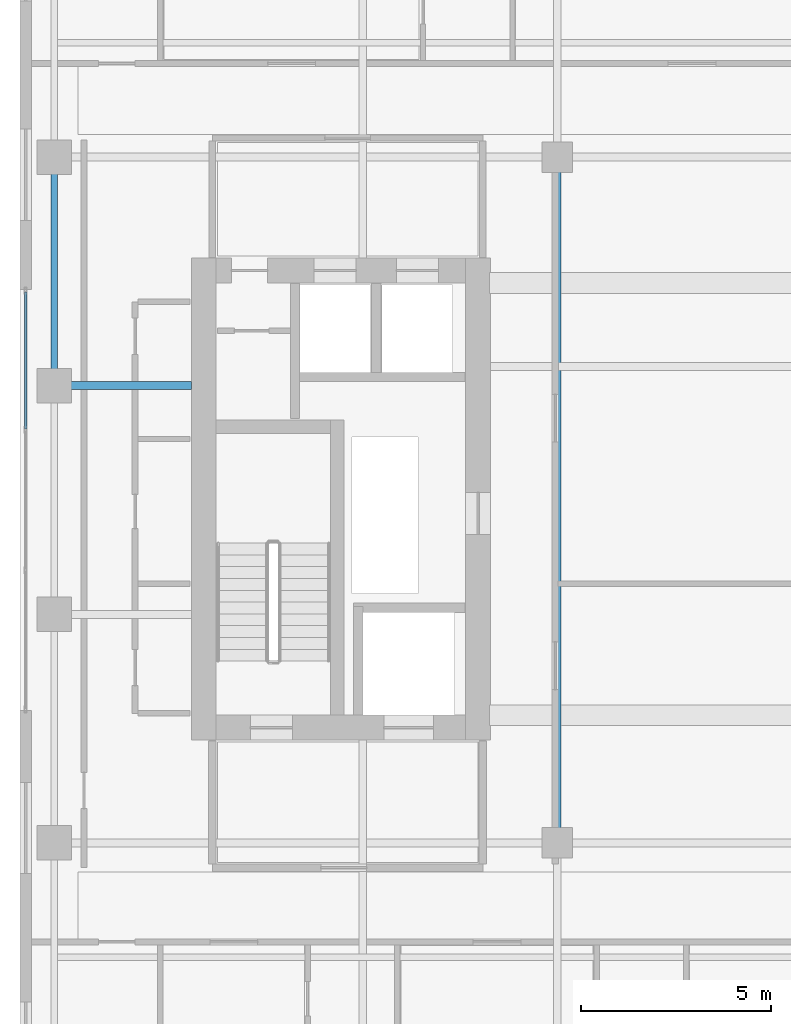
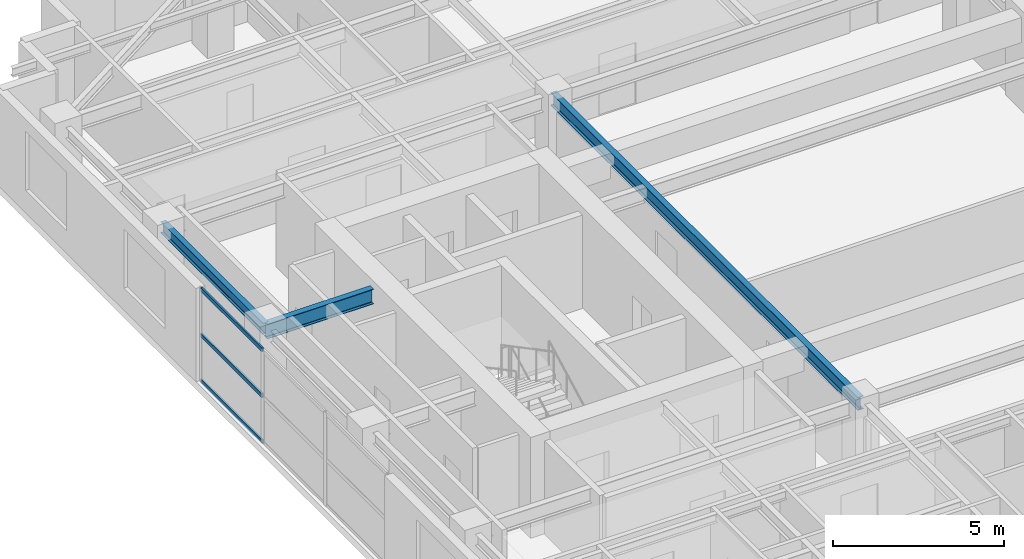
# One storey, part 3 of 15: 3 beams, 3 members, 1 element without a shape of its own.
"""IFC4 building model written with IfcOpenShell, lengths in metres."""

import ifcopenshell
import ifcopenshell.guid

model = None  # the IFC model being written
_history = None  # IfcOwnerHistory: only IFC2X3 demands one
_inside = {}  # id of a spatial element -> (the spatial element, [elements in it])
_under = {}  # id of a project, library or spatial element -> (it, [spatial elements below it])
_declared = {}  # id of a project -> (the project, [libraries it declares])
_typed = {}  # id of a type object -> (the type object, [elements of that type])
_made_of = {}  # id of a material, layer set ... -> (it, [elements and type objects made of it])


def new_model(schema):
    """Start an empty IFC model of exactly this schema.

    Asked for "IFC4X3", IfcOpenShell would pick the latest addendum, in which some entities
    have other attributes; the version numbers below select the first issue.
    IFC2X3 requires an IfcOwnerHistory on every rooted entity: one is made here for all.
    """
    global model, _history
    if schema == "IFC4X3":
        model = ifcopenshell.file(schema_version=(4, 3, 0, 0))
    else:
        model = ifcopenshell.file(schema=schema)
    _inside.clear()
    _under.clear()
    _declared.clear()
    _typed.clear()
    _made_of.clear()
    _history = None
    if model.schema == "IFC2X3":
        org = make("IfcOrganization", Name="unknown")
        user = make(
            "IfcPersonAndOrganization",
            ThePerson=make("IfcPerson", FamilyName="unknown"),
            TheOrganization=org,
        )
        app = make(
            "IfcApplication",
            ApplicationDeveloper=org,
            Version="unknown",
            ApplicationFullName="unknown",
            ApplicationIdentifier="unknown",
        )
        _history = make(
            "IfcOwnerHistory",
            OwningUser=user,
            OwningApplication=app,
            ChangeAction="ADDED",
            CreationDate=0,
        )
    return model


def make(cls, **values):
    """One entity of the class cls with the attributes given. An attribute that is None is left unset."""
    return model.create_entity(
        cls, **{name: value for name, value in values.items() if value is not None}
    )


def rooted(cls, **values):
    """An entity with a GlobalId (a new one), such as an element, a storey or a relation."""
    return make(cls, GlobalId=ifcopenshell.guid.new(), OwnerHistory=_history, **values)


def si_unit(unit_type, name, prefix=None):
    """IfcSIUnit, for example si_unit("LENGTHUNIT", "METRE", prefix="MILLI")."""
    return make("IfcSIUnit", UnitType=unit_type, Prefix=prefix, Name=name)


def assignment(units):
    """IfcUnitAssignment: the units of a project."""
    return None if units is None else make("IfcUnitAssignment", Units=units)


def point(xyz):
    """IfcCartesianPoint."""
    return None if xyz is None else make("IfcCartesianPoint", Coordinates=xyz)


def direction(xyz):
    """IfcDirection."""
    return None if xyz is None else make("IfcDirection", DirectionRatios=xyz)


def frame(location, z_axis=None, x_axis=None):
    """IfcAxis2Placement3D, a coordinate frame: its origin and axes. An axis left out is left unset."""
    return make(
        "IfcAxis2Placement3D",
        Location=point(location),
        Axis=direction(z_axis),
        RefDirection=direction(x_axis),
    )


def frame_2d(location, x_axis=None):
    """IfcAxis2Placement2D, a coordinate frame in the plane: its origin and x axis."""
    return make(
        "IfcAxis2Placement2D", Location=point(location), RefDirection=direction(x_axis)
    )


def origin():
    """The frame at (0, 0, 0) with its axes left unset."""
    return frame((0.0, 0.0, 0.0))


def origin_2d():
    """The frame at (0, 0) in the plane with its x axis left unset."""
    return frame_2d((0.0, 0.0))


def place(relative_to, where):
    """IfcLocalPlacement: puts the frame where relative to a parent placement (None: the world)."""
    return make(
        "IfcLocalPlacement", PlacementRelTo=relative_to, RelativePlacement=where
    )


def context(
    kind, dimensions, precision=None, world=None, true_north=None, identifier=None
):
    """IfcGeometricRepresentationContext, for example the 3D "Model" context."""
    return make(
        "IfcGeometricRepresentationContext",
        ContextIdentifier=identifier,
        ContextType=kind,
        CoordinateSpaceDimension=dimensions,
        Precision=precision,
        WorldCoordinateSystem=world,
        TrueNorth=true_north,
    )


def subcontext(parent, identifier, kind, view, scale=None):
    """IfcGeometricRepresentationSubContext, for example "Body" below "Model"."""
    return make(
        "IfcGeometricRepresentationSubContext",
        ContextIdentifier=identifier,
        ContextType=kind,
        ParentContext=parent,
        TargetScale=scale,
        TargetView=view,
    )


def project(units=None, contexts=None):
    """IfcProject with its units and contexts."""
    return rooted(
        "IfcProject",
        Name="project",
        RepresentationContexts=contexts,
        UnitsInContext=assignment(units),
    )


def spatial(cls, under=None, at=None, **own):
    """A site, building, storey or space (cls), placed at a placement, below another one or the project."""
    s = rooted(cls, ObjectPlacement=at, **own)
    if under is not None:
        _under.setdefault(under.id(), (under, []))[1].append(s)
    return s


def profile(cls, at=None, kind="AREA", **sizes):
    """A parametric profile (cls). Its sizes go by their IFC names, for example OverallWidth=200.0."""
    return make(cls, ProfileType=kind, Position=at, **sizes)


def hollow_rectangle(**sizes):
    """IfcRectangleHollowProfileDef."""
    return profile("IfcRectangleHollowProfileDef", **sizes)


def i_section(**sizes):
    """IfcIShapeProfileDef."""
    return profile("IfcIShapeProfileDef", **sizes)


def extrude(swept, where, along, depth):
    """IfcExtrudedAreaSolid: the profile swept, set in the frame where, extruded along a direction by depth."""
    return make(
        "IfcExtrudedAreaSolid",
        SweptArea=swept,
        Position=where,
        ExtrudedDirection=direction(along),
        Depth=depth,
    )


def shape(context_of_items, identifier, shape_type, items):
    """IfcShapeRepresentation: the items that make up one representation, for example the "Body"."""
    return make(
        "IfcShapeRepresentation",
        ContextOfItems=context_of_items,
        RepresentationIdentifier=identifier,
        RepresentationType=shape_type,
        Items=items,
    )


def source(mapping_origin, context_of_items, identifier, shape_type, items):
    """IfcRepresentationMap: a shape defined once, which mapped items show again and again."""
    return make(
        "IfcRepresentationMap",
        MappingOrigin=mapping_origin,
        MappedRepresentation=shape(context_of_items, identifier, shape_type, items),
    )


def transform(
    local_origin,
    x_axis=None,
    y_axis=None,
    z_axis=None,
    scale=None,
    scale2=None,
    scale3=None,
    uniform=True,
):
    """IfcCartesianTransformationOperator3D, or its non-uniform kind. x_axis, y_axis, z_axis: its Axis1, 2, 3."""
    if uniform:
        return make(
            "IfcCartesianTransformationOperator3D",
            Axis1=direction(x_axis),
            Axis2=direction(y_axis),
            LocalOrigin=point(local_origin),
            Scale=scale,
            Axis3=direction(z_axis),
        )
    return make(
        "IfcCartesianTransformationOperator3DnonUniform",
        Axis1=direction(x_axis),
        Axis2=direction(y_axis),
        LocalOrigin=point(local_origin),
        Scale=scale,
        Axis3=direction(z_axis),
        Scale2=scale2,
        Scale3=scale3,
    )


def mapped(mapping_source, mapping_target):
    """IfcMappedItem: shows the shape of a source again, moved by a transform."""
    return make(
        "IfcMappedItem", MappingSource=mapping_source, MappingTarget=mapping_target
    )


def material(Name=None, Category=None):
    """IfcMaterial."""
    return make("IfcMaterial", Name=Name, Category=Category)


def layer(
    of_material, thickness, ventilated=None, Name=None, Category=None, Priority=None
):
    """IfcMaterialLayer: one layer of a wall or slab, of a material (None: an air gap)."""
    return make(
        "IfcMaterialLayer",
        Material=of_material,
        LayerThickness=thickness,
        IsVentilated=ventilated,
        Name=Name,
        Category=Category,
        Priority=Priority,
    )


def layer_set(layers, Name=None):
    """IfcMaterialLayerSet."""
    return make("IfcMaterialLayerSet", MaterialLayers=layers, LayerSetName=Name)


def material_profile(
    of_material, cross_section, Name=None, Category=None, Priority=None
):
    """IfcMaterialProfile: a cross section and its material."""
    return make(
        "IfcMaterialProfile",
        Name=Name,
        Material=of_material,
        Profile=cross_section,
        Priority=Priority,
        Category=Category,
    )


def profile_set(profiles, Name=None, composite=None):
    """IfcMaterialProfileSet."""
    return make(
        "IfcMaterialProfileSet",
        Name=Name,
        MaterialProfiles=profiles,
        CompositeProfile=composite,
    )


def made_of(thing, what):
    """Note that an element or type object is made of a material, layer set ...; save() writes the relation."""
    if what is not None:
        _made_of.setdefault(what.id(), (what, []))[1].append(thing)
    return thing


def type_object(cls, material=None, **own):
    """A type object (cls), such as IfcWallType, which elements share."""
    return made_of(rooted(cls, **own), material)


def element(
    cls,
    number,
    at=None,
    inside=None,
    cuts=None,
    type_object=None,
    material=None,
    context=None,
    identifier="Body",
    shape_type=None,
    held_by="IfcProductDefinitionShape",
    body=None,
    shapes=None,
    **own,
):
    """One element of the class cls, such as IfcWall. Its Tag is "e" and its number.

    at: its placement. inside: the storey or other place that contains it. cuts: it is an
    opening in that element (IfcRelVoidsElement). A single representation is given by context,
    identifier, shape_type and body (its items); several are given by shapes. held_by: the class
    of the entity that holds the representations. save() writes the other relations.
    """
    e = rooted(cls, Tag="e%d" % number, ObjectPlacement=at, **own)
    if body is not None:
        shapes = [shape(context, identifier, shape_type, body)]
    if shapes is not None:
        e.Representation = make(held_by, Representations=shapes)
    if inside is not None:
        _inside.setdefault(inside.id(), (inside, []))[1].append(e)
    if cuts is not None:
        rooted(
            "IfcRelVoidsElement", RelatingBuildingElement=cuts, RelatedOpeningElement=e
        )
    if type_object is not None:
        _typed.setdefault(type_object.id(), (type_object, []))[1].append(e)
    return made_of(e, material)


def aggregate(whole, parts):
    """IfcRelAggregates: a whole, such as a stair, and the parts it consists of."""
    return rooted("IfcRelAggregates", RelatingObject=whole, RelatedObjects=parts)


def save(model, path):
    """Write the relations noted so far, then the file.

    IfcRelAggregates (storeys below a building ...), IfcRelContainedInSpatialStructure (elements
    in a storey), IfcRelDefinesByType, IfcRelAssociatesMaterial and IfcRelDeclares: one each for
    every whole, place, type object, material and project.
    """
    for whole, parts in _under.values():
        aggregate(whole, parts)
    for where, things in _inside.values():
        rooted(
            "IfcRelContainedInSpatialStructure",
            RelatedElements=things,
            RelatingStructure=where,
        )
    for kind, things in _typed.values():
        rooted("IfcRelDefinesByType", RelatedObjects=things, RelatingType=kind)
    for what, things in _made_of.values():
        rooted("IfcRelAssociatesMaterial", RelatedObjects=things, RelatingMaterial=what)
    for by, libraries in _declared.values():
        rooted("IfcRelDeclares", RelatingContext=by, RelatedDefinitions=libraries)
    model.write(path)


model = new_model("IFC4")

# Units and contexts
model_context = context("Model", 3, precision=1e-05, world=origin(), true_north=direction((0.0, 1.0)))
body_context = subcontext(model_context, "Body", "Model", "MODEL_VIEW")
ifc_project = project(units=[si_unit("LENGTHUNIT", "METRE"), si_unit("AREAUNIT", "SQUARE_METRE"), si_unit("VOLUMEUNIT", "CUBIC_METRE"), si_unit("PLANEANGLEUNIT", "RADIAN"), si_unit("MASSUNIT", "GRAM", prefix="KILO")], contexts=[model_context])

# Site, building, storey
site_placement = place(None, origin())
site = spatial("IfcSite", under=ifc_project, at=site_placement, CompositionType="ELEMENT")
building_placement = place(site_placement, origin())
building = spatial("IfcBuilding", under=site, at=building_placement, Name="Khoralis Quay Care Tower", CompositionType="ELEMENT")
storey_placement = place(building_placement, frame((0.0, 0.0, 162.89990234375)))
storey = spatial("IfcBuildingStorey", under=building, at=storey_placement, Name="L42", CompositionType="ELEMENT", Elevation=162.89990234375)

# Beams
ifc_material_1 = material(Name="Steel S355", Category="steel")
ifc_material_profile_1 = material_profile(ifc_material_1, i_section(OverallWidth=0.179931640625, OverallDepth=0.39990234375, WebThickness=0.008544921875, FlangeThickness=0.013427734375, FilletRadius=0.02099609375, at=origin_2d()), Name="Steel S355")
ifc_profile_set_1 = profile_set([ifc_material_profile_1], Name="Steel S355")
beam_type_1 = type_object("IfcBeamType", Name="BM-IPE400", PredefinedType="SPANDREL", material=ifc_profile_set_1)
shared_shape_1 = source(origin(), body_context, "Body", "SweptSolid", [
    extrude(i_section(OverallWidth=0.179931640625, OverallDepth=0.39990234375, WebThickness=0.008544921875, FlangeThickness=0.013427734375, FilletRadius=0.02099609375, at=origin_2d()), origin(), (0.0, 0.0, 1.0), 6.0),
])
beam_1_placement = place(storey_placement, frame((3.89990234375, 24.0, 3.14013671875), z_axis=(0.0, 1.0, 0.0), x_axis=(-1.0, 0.0, 0.0)))
element("IfcBeam", 1, at=beam_1_placement, inside=storey, type_object=beam_type_1, Name="BM-TSP-L42-12", PredefinedType="SPANDREL", context=body_context, shape_type="MappedRepresentation", body=[
    mapped(shared_shape_1, transform((0.0, 0.0, 0.0), scale=1.0)),
])
ifc_material_profile_2 = material_profile(ifc_material_1, i_section(OverallWidth=0.208984375, OverallDepth=0.532958984375, WebThickness=0.01025390625, FlangeThickness=0.015625, FilletRadius=0.01611328125, at=origin_2d()), Name="Steel S355")
ifc_profile_set_2 = profile_set([ifc_material_profile_2], Name="Steel S355")
beam_type_2 = type_object("IfcBeamType", Name="BM-W530X92", PredefinedType="BEAM", material=ifc_profile_set_2)
shared_shape_2 = source(origin(), body_context, "Body", "SweptSolid", [
    extrude(i_section(OverallWidth=0.208984375, OverallDepth=0.532958984375, WebThickness=0.01025390625, FlangeThickness=0.015625, FilletRadius=0.01611328125, at=origin_2d()), origin(), (0.0, 0.0, 1.0), 3.60205078125),
])
beam_2_placement = place(storey_placement, frame((3.89990234375, 24.0, 3.073486328125), z_axis=(1.0, 0.0, 0.0), x_axis=(0.0, 1.0, 0.0)))
element("IfcBeam", 2, at=beam_2_placement, inside=storey, type_object=beam_type_2, Name="BM-TGXW-L42-240", PredefinedType="BEAM", context=body_context, shape_type="MappedRepresentation", body=[
    mapped(shared_shape_2, transform((0.0, 0.0, 0.0), scale=1.0)),
])
ifc_material_profile_3 = material_profile(ifc_material_1, i_section(OverallWidth=0.19189453125, OverallDepth=0.462890625, WebThickness=0.010498046875, FlangeThickness=0.017578125, FilletRadius=0.014892578125, at=origin_2d()), Name="Steel S355")
ifc_profile_set_3 = profile_set([ifc_material_profile_3], Name="Steel S355")
beam_type_3 = type_object("IfcBeamType", Name="BM-W460X89", PredefinedType="BEAM", material=ifc_profile_set_3)
shared_shape_3 = source(origin(), body_context, "Body", "SweptSolid", [
    extrude(i_section(OverallWidth=0.19189453125, OverallDepth=0.462890625, WebThickness=0.010498046875, FlangeThickness=0.017578125, FilletRadius=0.014892578125, at=origin_2d()), origin(), (0.0, 0.0, 1.0), 18.0),
])
beam_3_placement = place(storey_placement, frame((17.10009765625, 12.0, 3.108642578125), z_axis=(0.0, 1.0, 0.0), x_axis=(-1.0, 0.0, 0.0)))
element("IfcBeam", 3, at=beam_3_placement, inside=storey, type_object=beam_type_3, Name="BM-TGSW-L42", PredefinedType="BEAM", context=body_context, shape_type="MappedRepresentation", body=[
    mapped(shared_shape_3, transform((0.0, 0.0, 0.0), scale=1.0)),
])

# Curtain wall, members
ifc_material_2 = material(Name="Pale anodised aluminium", Category="aluminium")
ifc_layer = layer(ifc_material_2, 0.159912109375)
ifc_layer_set = layer_set([ifc_layer], Name="Pale anodised aluminium")
curtain_wall_type = type_object("IfcCurtainWallType", Name="CW-SYS-Z3", PredefinedType="NOTDEFINED", material=ifc_layer_set)
curtain_wall_placement = place(storey_placement, origin())
curtain_wall = element("IfcCurtainWall", 4, at=curtain_wall_placement, inside=storey, type_object=curtain_wall_type, Name="L42 Unitised Curtain Wall CW-L42-P1-E15", PredefinedType="NOTDEFINED")
ifc_material_profile_4 = material_profile(ifc_material_2, hollow_rectangle(XDim=0.06005859375, YDim=0.139892578125, WallThickness=0.00390625, at=origin_2d()), Name="Pale anodised aluminium")
ifc_profile_set_4 = profile_set([ifc_material_profile_4], Name="Pale anodised aluminium")
member_type = type_object("IfcMemberType", Name="CW-TRN-140", PredefinedType="USERDEFINED", material=ifc_profile_set_4)
shared_shape_4 = source(origin(), body_context, "Body", "SweptSolid", [
    extrude(hollow_rectangle(XDim=0.06005859375, YDim=0.139892578125, WallThickness=0.00390625, at=origin_2d()), origin(), (0.0, 0.0, 1.0), 3.58984375),
])
member_1_placement = place(storey_placement, frame((3.14990234375, 26.4599609375, 0.030029296875), z_axis=(0.0, -1.0, 0.0), x_axis=(1.0, 0.0, 0.0)))
member_1 = element("IfcMember", 5, at=member_1_placement, type_object=member_type, Name="CW3 transom 1.1", ObjectType="TRANSOM", PredefinedType="USERDEFINED", context=body_context, shape_type="MappedRepresentation", body=[
    mapped(shared_shape_4, transform((0.0, 0.0, 0.0), scale=1.0)),
])
member_2_placement = place(storey_placement, frame((3.14990234375, 26.4599609375, 1.670166015625), z_axis=(0.0, -1.0, 0.0), x_axis=(1.0, 0.0, 0.0)))
member_2 = element("IfcMember", 6, at=member_2_placement, type_object=member_type, Name="CW3 transom 1.2", ObjectType="TRANSOM", PredefinedType="USERDEFINED", context=body_context, shape_type="MappedRepresentation", body=[
    mapped(shared_shape_4, transform((0.0, 0.0, 0.0), scale=1.0)),
])
member_3_placement = place(storey_placement, frame((3.14990234375, 26.4599609375, 3.31005859375), z_axis=(0.0, -1.0, 0.0), x_axis=(1.0, 0.0, 0.0)))
member_3 = element("IfcMember", 7, at=member_3_placement, type_object=member_type, Name="CW3 transom 1.3", ObjectType="TRANSOM", PredefinedType="USERDEFINED", context=body_context, shape_type="MappedRepresentation", body=[
    mapped(shared_shape_4, transform((0.0, 0.0, 0.0), scale=1.0)),
])
aggregate(curtain_wall, [member_1, member_2, member_3])

save(model, "model.ifc")
